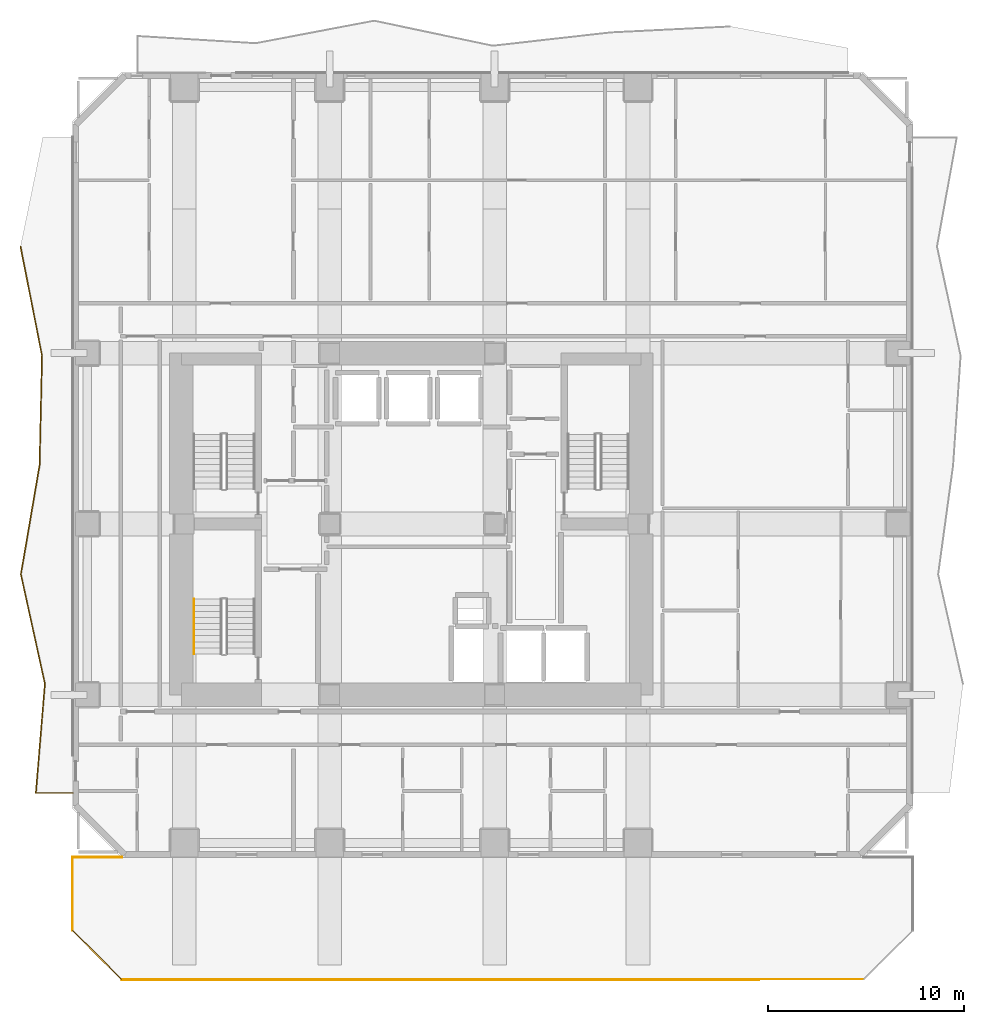
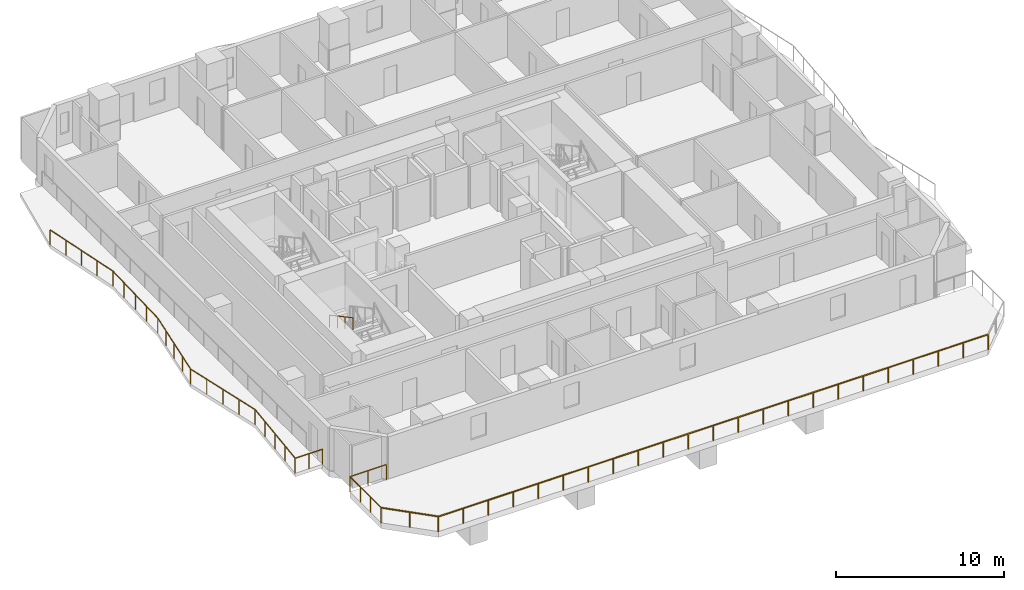
# One storey, part 8 of 11: 6 railings.
"""IFC4 building model written with IfcOpenShell, lengths in metres."""

import ifcopenshell
import ifcopenshell.guid

model = None  # the IFC model being written
_history = None  # IfcOwnerHistory: only IFC2X3 demands one
_inside = {}  # id of a spatial element -> (the spatial element, [elements in it])
_under = {}  # id of a project, library or spatial element -> (it, [spatial elements below it])
_declared = {}  # id of a project -> (the project, [libraries it declares])
_typed = {}  # id of a type object -> (the type object, [elements of that type])
_made_of = {}  # id of a material, layer set ... -> (it, [elements and type objects made of it])


def new_model(schema):
    """Start an empty IFC model of exactly this schema.

    Asked for "IFC4X3", IfcOpenShell would pick the latest addendum, in which some entities
    have other attributes; the version numbers below select the first issue.
    IFC2X3 requires an IfcOwnerHistory on every rooted entity: one is made here for all.
    """
    global model, _history
    if schema == "IFC4X3":
        model = ifcopenshell.file(schema_version=(4, 3, 0, 0))
    else:
        model = ifcopenshell.file(schema=schema)
    _inside.clear()
    _under.clear()
    _declared.clear()
    _typed.clear()
    _made_of.clear()
    _history = None
    if model.schema == "IFC2X3":
        org = make("IfcOrganization", Name="unknown")
        user = make(
            "IfcPersonAndOrganization",
            ThePerson=make("IfcPerson", FamilyName="unknown"),
            TheOrganization=org,
        )
        app = make(
            "IfcApplication",
            ApplicationDeveloper=org,
            Version="unknown",
            ApplicationFullName="unknown",
            ApplicationIdentifier="unknown",
        )
        _history = make(
            "IfcOwnerHistory",
            OwningUser=user,
            OwningApplication=app,
            ChangeAction="ADDED",
            CreationDate=0,
        )
    return model


def make(cls, **values):
    """One entity of the class cls with the attributes given. An attribute that is None is left unset."""
    return model.create_entity(
        cls, **{name: value for name, value in values.items() if value is not None}
    )


def rooted(cls, **values):
    """An entity with a GlobalId (a new one), such as an element, a storey or a relation."""
    return make(cls, GlobalId=ifcopenshell.guid.new(), OwnerHistory=_history, **values)


def si_unit(unit_type, name, prefix=None):
    """IfcSIUnit, for example si_unit("LENGTHUNIT", "METRE", prefix="MILLI")."""
    return make("IfcSIUnit", UnitType=unit_type, Prefix=prefix, Name=name)


def assignment(units):
    """IfcUnitAssignment: the units of a project."""
    return None if units is None else make("IfcUnitAssignment", Units=units)


def point(xyz):
    """IfcCartesianPoint."""
    return None if xyz is None else make("IfcCartesianPoint", Coordinates=xyz)


def direction(xyz):
    """IfcDirection."""
    return None if xyz is None else make("IfcDirection", DirectionRatios=xyz)


def frame(location, z_axis=None, x_axis=None):
    """IfcAxis2Placement3D, a coordinate frame: its origin and axes. An axis left out is left unset."""
    return make(
        "IfcAxis2Placement3D",
        Location=point(location),
        Axis=direction(z_axis),
        RefDirection=direction(x_axis),
    )


def frame_2d(location, x_axis=None):
    """IfcAxis2Placement2D, a coordinate frame in the plane: its origin and x axis."""
    return make(
        "IfcAxis2Placement2D", Location=point(location), RefDirection=direction(x_axis)
    )


def origin():
    """The frame at (0, 0, 0) with its axes left unset."""
    return frame((0.0, 0.0, 0.0))


def origin_2d():
    """The frame at (0, 0) in the plane with its x axis left unset."""
    return frame_2d((0.0, 0.0))


def place(relative_to, where):
    """IfcLocalPlacement: puts the frame where relative to a parent placement (None: the world)."""
    return make(
        "IfcLocalPlacement", PlacementRelTo=relative_to, RelativePlacement=where
    )


def context(
    kind, dimensions, precision=None, world=None, true_north=None, identifier=None
):
    """IfcGeometricRepresentationContext, for example the 3D "Model" context."""
    return make(
        "IfcGeometricRepresentationContext",
        ContextIdentifier=identifier,
        ContextType=kind,
        CoordinateSpaceDimension=dimensions,
        Precision=precision,
        WorldCoordinateSystem=world,
        TrueNorth=true_north,
    )


def subcontext(parent, identifier, kind, view, scale=None):
    """IfcGeometricRepresentationSubContext, for example "Body" below "Model"."""
    return make(
        "IfcGeometricRepresentationSubContext",
        ContextIdentifier=identifier,
        ContextType=kind,
        ParentContext=parent,
        TargetScale=scale,
        TargetView=view,
    )


def project(units=None, contexts=None):
    """IfcProject with its units and contexts."""
    return rooted(
        "IfcProject",
        Name="project",
        RepresentationContexts=contexts,
        UnitsInContext=assignment(units),
    )


def spatial(cls, under=None, at=None, **own):
    """A site, building, storey or space (cls), placed at a placement, below another one or the project."""
    s = rooted(cls, ObjectPlacement=at, **own)
    if under is not None:
        _under.setdefault(under.id(), (under, []))[1].append(s)
    return s


def profile(cls, at=None, kind="AREA", **sizes):
    """A parametric profile (cls). Its sizes go by their IFC names, for example OverallWidth=200.0."""
    return make(cls, ProfileType=kind, Position=at, **sizes)


def rectangle(**sizes):
    """IfcRectangleProfileDef."""
    return profile("IfcRectangleProfileDef", **sizes)


def extrude(swept, where, along, depth):
    """IfcExtrudedAreaSolid: the profile swept, set in the frame where, extruded along a direction by depth."""
    return make(
        "IfcExtrudedAreaSolid",
        SweptArea=swept,
        Position=where,
        ExtrudedDirection=direction(along),
        Depth=depth,
    )


def shape(context_of_items, identifier, shape_type, items):
    """IfcShapeRepresentation: the items that make up one representation, for example the "Body"."""
    return make(
        "IfcShapeRepresentation",
        ContextOfItems=context_of_items,
        RepresentationIdentifier=identifier,
        RepresentationType=shape_type,
        Items=items,
    )


def material(Name=None, Category=None):
    """IfcMaterial."""
    return make("IfcMaterial", Name=Name, Category=Category)


def made_of(thing, what):
    """Note that an element or type object is made of a material, layer set ...; save() writes the relation."""
    if what is not None:
        _made_of.setdefault(what.id(), (what, []))[1].append(thing)
    return thing


def type_object(cls, material=None, **own):
    """A type object (cls), such as IfcWallType, which elements share."""
    return made_of(rooted(cls, **own), material)


def element(
    cls,
    number,
    at=None,
    inside=None,
    cuts=None,
    type_object=None,
    material=None,
    context=None,
    identifier="Body",
    shape_type=None,
    held_by="IfcProductDefinitionShape",
    body=None,
    shapes=None,
    **own,
):
    """One element of the class cls, such as IfcWall. Its Tag is "e" and its number.

    at: its placement. inside: the storey or other place that contains it. cuts: it is an
    opening in that element (IfcRelVoidsElement). A single representation is given by context,
    identifier, shape_type and body (its items); several are given by shapes. held_by: the class
    of the entity that holds the representations. save() writes the other relations.
    """
    e = rooted(cls, Tag="e%d" % number, ObjectPlacement=at, **own)
    if body is not None:
        shapes = [shape(context, identifier, shape_type, body)]
    if shapes is not None:
        e.Representation = make(held_by, Representations=shapes)
    if inside is not None:
        _inside.setdefault(inside.id(), (inside, []))[1].append(e)
    if cuts is not None:
        rooted(
            "IfcRelVoidsElement", RelatingBuildingElement=cuts, RelatedOpeningElement=e
        )
    if type_object is not None:
        _typed.setdefault(type_object.id(), (type_object, []))[1].append(e)
    return made_of(e, material)


def aggregate(whole, parts):
    """IfcRelAggregates: a whole, such as a stair, and the parts it consists of."""
    return rooted("IfcRelAggregates", RelatingObject=whole, RelatedObjects=parts)


def save(model, path):
    """Write the relations noted so far, then the file.

    IfcRelAggregates (storeys below a building ...), IfcRelContainedInSpatialStructure (elements
    in a storey), IfcRelDefinesByType, IfcRelAssociatesMaterial and IfcRelDeclares: one each for
    every whole, place, type object, material and project.
    """
    for whole, parts in _under.values():
        aggregate(whole, parts)
    for where, things in _inside.values():
        rooted(
            "IfcRelContainedInSpatialStructure",
            RelatedElements=things,
            RelatingStructure=where,
        )
    for kind, things in _typed.values():
        rooted("IfcRelDefinesByType", RelatedObjects=things, RelatingType=kind)
    for what, things in _made_of.values():
        rooted("IfcRelAssociatesMaterial", RelatedObjects=things, RelatingMaterial=what)
    for by, libraries in _declared.values():
        rooted("IfcRelDeclares", RelatingContext=by, RelatedDefinitions=libraries)
    model.write(path)


model = new_model("IFC4")

# Units and contexts
model_context = context("Model", 3, precision=1e-05, world=origin(), true_north=direction((0.0, 1.0)))
body_context = subcontext(model_context, "Body", "Model", "MODEL_VIEW")
ifc_project = project(units=[si_unit("LENGTHUNIT", "METRE"), si_unit("AREAUNIT", "SQUARE_METRE"), si_unit("VOLUMEUNIT", "CUBIC_METRE"), si_unit("PLANEANGLEUNIT", "RADIAN"), si_unit("MASSUNIT", "GRAM", prefix="KILO")], contexts=[model_context])

# Site, building, storey
site_placement = place(None, origin())
site = spatial("IfcSite", under=ifc_project, at=site_placement, CompositionType="ELEMENT")
building_placement = place(site_placement, origin())
building = spatial("IfcBuilding", under=site, at=building_placement, Name="Solanera Arch Residences", CompositionType="ELEMENT")
storey_placement = place(building_placement, frame((0.0, 0.0, 61.840087890625)))
storey = spatial("IfcBuildingStorey", under=building, at=storey_placement, Name="L17", CompositionType="ELEMENT", Elevation=61.840087890625)

# Railings
ifc_material_1 = material(Name="Steel S355 (ASTM A992 / A572 Grade 50)", Category="steel")
railing_type_1 = type_object("IfcRailingType", Name="Balustrade Railing BL-1100", PredefinedType="BALUSTRADE", material=ifc_material_1)
railing_1_placement = place(storey_placement, frame((5.051025390625, 44.8330078125, 0.0)))
element("IfcRailing", 1, at=railing_1_placement, inside=storey, type_object=railing_type_1, Name="L17 W Balcony Balustrade 1", PredefinedType="BALUSTRADE", context=body_context, shape_type="SweptSolid", body=[
    extrude(rectangle(XDim=0.048095703125, YDim=0.048095703125, at=origin_2d()), frame((0.0, 0.0, 1.09619140625), z_axis=(0.193193705231, -0.981160635298, 0.0), x_axis=(0.981160635298, 0.193193705231, 0.0)), (0.0, 0.0, 1.0), 5.6728515625),
    extrude(rectangle(XDim=0.048095703125, YDim=0.048095703125, at=origin_2d()), frame((1.095947265625, -5.56591796875, 1.09619140625), z_axis=(-0.022272244307, -0.999751942801, 0.0), x_axis=(0.999751942801, -0.022272244307, 0.0)), (0.0, 0.0, 1.0), 5.568603515625),
    extrude(rectangle(XDim=0.048095703125, YDim=0.048095703125, at=origin_2d()), frame((0.971923828125, -11.133056640625, 1.09619140625), z_axis=(-0.168715450915, -0.985664799322, 0.0), x_axis=(0.985664799322, -0.168715450915, 0.0)), (0.0, 0.0, 1.0), 5.64794921875),
    extrude(rectangle(XDim=0.048095703125, YDim=0.048095703125, at=origin_2d()), frame((0.01904296875, -16.699951171875, 1.09619140625), z_axis=(0.21474818874, -0.976669450445, 0.0), x_axis=(0.976669450445, 0.21474818874, 0.0)), (0.0, 0.0, 1.0), 5.69921875),
    extrude(rectangle(XDim=0.048095703125, YDim=0.048095703125, at=origin_2d()), frame((1.242919921875, -22.26611328125, 1.09619140625), z_axis=(-0.082343737975, -0.996603987959, 0.0), x_axis=(0.996603987959, -0.082343737975, 0.0)), (0.0, 0.0, 1.0), 5.5859375),
    extrude(rectangle(XDim=0.048095703125, YDim=0.048095703125, at=origin_2d()), frame((0.782958984375, -27.8330078125, 1.09619140625), z_axis=(1.0, 0.0, 0.0), x_axis=(0.0, 1.0, 0.0)), (0.0, 0.0, 1.0), 1.885986328125),
    extrude(rectangle(XDim=0.0419921875, YDim=0.0419921875, at=origin_2d()), origin(), (0.0, 0.0, 1.0), 1.072021484375),
    extrude(rectangle(XDim=0.0419921875, YDim=0.0419921875, at=origin_2d()), frame((0.27392578125, -1.3916015625, 0.0)), (0.0, 0.0, 1.0), 1.072021484375),
    extrude(rectangle(XDim=0.0419921875, YDim=0.0419921875, at=origin_2d()), frame((0.5478515625, -2.782958984375, 0.0)), (0.0, 0.0, 1.0), 1.072021484375),
    extrude(rectangle(XDim=0.0419921875, YDim=0.0419921875, at=origin_2d()), frame((0.822021484375, -4.17431640625, 0.0)), (0.0, 0.0, 1.0), 1.072021484375),
    extrude(rectangle(XDim=0.0419921875, YDim=0.0419921875, at=origin_2d()), frame((1.095947265625, -5.56591796875, 0.0)), (0.0, 0.0, 1.0), 1.072021484375),
    extrude(rectangle(XDim=0.0419921875, YDim=0.0419921875, at=origin_2d()), frame((1.06494140625, -6.957763671875, 0.0)), (0.0, 0.0, 1.0), 1.072021484375),
    extrude(rectangle(XDim=0.0419921875, YDim=0.0419921875, at=origin_2d()), frame((1.033935546875, -8.349609375, 0.0)), (0.0, 0.0, 1.0), 1.072021484375),
    extrude(rectangle(XDim=0.0419921875, YDim=0.0419921875, at=origin_2d()), frame((1.0029296875, -9.7412109375, 0.0)), (0.0, 0.0, 1.0), 1.072021484375),
    extrude(rectangle(XDim=0.0419921875, YDim=0.0419921875, at=origin_2d()), frame((0.971923828125, -11.133056640625, 0.0)), (0.0, 0.0, 1.0), 1.072021484375),
    extrude(rectangle(XDim=0.0419921875, YDim=0.0419921875, at=origin_2d()), frame((0.733642578125, -12.52490234375, 0.0)), (0.0, 0.0, 1.0), 1.072021484375),
    extrude(rectangle(XDim=0.0419921875, YDim=0.0419921875, at=origin_2d()), frame((0.49560546875, -13.91650390625, 0.0)), (0.0, 0.0, 1.0), 1.072021484375),
    extrude(rectangle(XDim=0.0419921875, YDim=0.0419921875, at=origin_2d()), frame((0.25732421875, -15.30810546875, 0.0)), (0.0, 0.0, 1.0), 1.072021484375),
    extrude(rectangle(XDim=0.0419921875, YDim=0.0419921875, at=origin_2d()), frame((0.01904296875, -16.699951171875, 0.0)), (0.0, 0.0, 1.0), 1.072021484375),
    extrude(rectangle(XDim=0.0419921875, YDim=0.0419921875, at=origin_2d()), frame((0.324951171875, -18.091552734375, 0.0)), (0.0, 0.0, 1.0), 1.072021484375),
    extrude(rectangle(XDim=0.0419921875, YDim=0.0419921875, at=origin_2d()), frame((0.630859375, -19.48291015625, 0.0)), (0.0, 0.0, 1.0), 1.072021484375),
    extrude(rectangle(XDim=0.0419921875, YDim=0.0419921875, at=origin_2d()), frame((0.93701171875, -20.87451171875, 0.0)), (0.0, 0.0, 1.0), 1.072021484375),
    extrude(rectangle(XDim=0.0419921875, YDim=0.0419921875, at=origin_2d()), frame((1.242919921875, -22.26611328125, 0.0)), (0.0, 0.0, 1.0), 1.072021484375),
    extrude(rectangle(XDim=0.0419921875, YDim=0.0419921875, at=origin_2d()), frame((1.1279296875, -23.65771484375, 0.0)), (0.0, 0.0, 1.0), 1.072021484375),
    extrude(rectangle(XDim=0.0419921875, YDim=0.0419921875, at=origin_2d()), frame((1.012939453125, -25.049560546875, 0.0)), (0.0, 0.0, 1.0), 1.072021484375),
    extrude(rectangle(XDim=0.0419921875, YDim=0.0419921875, at=origin_2d()), frame((0.89794921875, -26.44140625, 0.0)), (0.0, 0.0, 1.0), 1.072021484375),
    extrude(rectangle(XDim=0.0419921875, YDim=0.0419921875, at=origin_2d()), frame((0.782958984375, -27.8330078125, 0.0)), (0.0, 0.0, 1.0), 1.072021484375),
    extrude(rectangle(XDim=0.0419921875, YDim=0.0419921875, at=origin_2d()), frame((1.72607421875, -27.8330078125, 0.0)), (0.0, 0.0, 1.0), 1.072021484375),
    extrude(rectangle(XDim=0.0419921875, YDim=0.0419921875, at=origin_2d()), frame((2.6689453125, -27.8330078125, 0.0)), (0.0, 0.0, 1.0), 1.072021484375),
])
railing_2_placement = place(storey_placement, frame((10.2080078125, 13.719970703125, 0.0)))
element("IfcRailing", 2, at=railing_2_placement, inside=storey, type_object=railing_type_1, Name="L17 Sky Terrace Guardrail 1", PredefinedType="BALUSTRADE", context=body_context, shape_type="SweptSolid", body=[
    extrude(rectangle(XDim=0.048095703125, YDim=0.048095703125, at=origin_2d()), frame((0.0, 0.0, 1.09619140625), z_axis=(-1.0, 0.0, 0.0), x_axis=(0.0, -1.0, 0.0)), (0.0, 0.0, 1.0), 2.508056640625),
    extrude(rectangle(XDim=0.0419921875, YDim=0.0419921875, at=origin_2d()), origin(), (0.0, 0.0, 1.0), 1.072021484375),
    extrude(rectangle(XDim=0.0419921875, YDim=0.0419921875, at=origin_2d()), frame((-1.25390625, 0.0, 0.0)), (0.0, 0.0, 1.0), 1.072021484375),
    extrude(rectangle(XDim=0.0419921875, YDim=0.0419921875, at=origin_2d()), frame((-2.508056640625, 0.0, 0.0)), (0.0, 0.0, 1.0), 1.072021484375),
])
railing_3_placement = place(storey_placement, frame((7.699951171875, 13.719970703125, 0.0)))
element("IfcRailing", 3, at=railing_3_placement, inside=storey, type_object=railing_type_1, Name="L17 Sky Terrace Guardrail 1", PredefinedType="BALUSTRADE", context=body_context, shape_type="SweptSolid", body=[
    extrude(rectangle(XDim=0.048095703125, YDim=0.048095703125, at=origin_2d()), frame((0.0, 0.0, 1.09619140625), z_axis=(0.0, -1.0, 0.0), x_axis=(1.0, 0.0, 0.0)), (0.0, 0.0, 1.0), 3.719970703125),
    extrude(rectangle(XDim=0.0419921875, YDim=0.0419921875, at=origin_2d()), origin(), (0.0, 0.0, 1.0), 1.072021484375),
    extrude(rectangle(XDim=0.0419921875, YDim=0.0419921875, at=origin_2d()), frame((0.0, -1.239990234375, 0.0)), (0.0, 0.0, 1.0), 1.072021484375),
    extrude(rectangle(XDim=0.0419921875, YDim=0.0419921875, at=origin_2d()), frame((0.0, -2.47998046875, 0.0)), (0.0, 0.0, 1.0), 1.072021484375),
    extrude(rectangle(XDim=0.0419921875, YDim=0.0419921875, at=origin_2d()), frame((0.0, -3.719970703125, 0.0)), (0.0, 0.0, 1.0), 1.072021484375),
])
railing_4_placement = place(storey_placement, frame((7.699951171875, 10.0, 0.0)))
element("IfcRailing", 4, at=railing_4_placement, inside=storey, type_object=railing_type_1, Name="L17 Sky Terrace Guardrail 1", PredefinedType="BALUSTRADE", context=body_context, shape_type="SweptSolid", body=[
    extrude(rectangle(XDim=0.048095703125, YDim=0.048095703125, at=origin_2d()), frame((0.0, 0.0, 1.09619140625), z_axis=(0.707106781187, -0.707106781187, 0.0), x_axis=(0.707106781187, 0.707106781187, 0.0)), (0.0, 0.0, 1.0), 3.53564453125),
    extrude(rectangle(XDim=0.0419921875, YDim=0.0419921875, at=origin_2d()), origin(), (0.0, 0.0, 1.0), 1.072021484375),
    extrude(rectangle(XDim=0.0419921875, YDim=0.0419921875, at=origin_2d()), frame((1.25, -1.25, 0.0)), (0.0, 0.0, 1.0), 1.072021484375),
    extrude(rectangle(XDim=0.0419921875, YDim=0.0419921875, at=origin_2d()), frame((2.5, -2.5, 0.0)), (0.0, 0.0, 1.0), 1.072021484375),
])
railing_5_placement = place(storey_placement, frame((10.199951171875, 7.5, 0.0)))
element("IfcRailing", 5, at=railing_5_placement, inside=storey, type_object=railing_type_1, Name="L17 Sky Terrace Guardrail 1", PredefinedType="BALUSTRADE", context=body_context, shape_type="SweptSolid", body=[
    extrude(rectangle(XDim=0.048095703125, YDim=0.048095703125, at=origin_2d()), frame((0.0, 0.0, 1.09619140625), z_axis=(1.0, 0.0, 0.0), x_axis=(0.0, 1.0, 0.0)), (0.0, 0.0, 1.0), 37.800048828125),
    extrude(rectangle(XDim=0.0419921875, YDim=0.0419921875, at=origin_2d()), origin(), (0.0, 0.0, 1.0), 1.072021484375),
    extrude(rectangle(XDim=0.0419921875, YDim=0.0419921875, at=origin_2d()), frame((1.71826171875, 0.0, 0.0)), (0.0, 0.0, 1.0), 1.072021484375),
    extrude(rectangle(XDim=0.0419921875, YDim=0.0419921875, at=origin_2d()), frame((3.436279296875, 0.0, 0.0)), (0.0, 0.0, 1.0), 1.072021484375),
    extrude(rectangle(XDim=0.0419921875, YDim=0.0419921875, at=origin_2d()), frame((5.154541015625, 0.0, 0.0)), (0.0, 0.0, 1.0), 1.072021484375),
    extrude(rectangle(XDim=0.0419921875, YDim=0.0419921875, at=origin_2d()), frame((6.872802734375, 0.0, 0.0)), (0.0, 0.0, 1.0), 1.072021484375),
    extrude(rectangle(XDim=0.0419921875, YDim=0.0419921875, at=origin_2d()), frame((8.5908203125, 0.0, 0.0)), (0.0, 0.0, 1.0), 1.072021484375),
    extrude(rectangle(XDim=0.0419921875, YDim=0.0419921875, at=origin_2d()), frame((10.30908203125, 0.0, 0.0)), (0.0, 0.0, 1.0), 1.072021484375),
    extrude(rectangle(XDim=0.0419921875, YDim=0.0419921875, at=origin_2d()), frame((12.02734375, 0.0, 0.0)), (0.0, 0.0, 1.0), 1.072021484375),
    extrude(rectangle(XDim=0.0419921875, YDim=0.0419921875, at=origin_2d()), frame((13.745361328125, 0.0, 0.0)), (0.0, 0.0, 1.0), 1.072021484375),
    extrude(rectangle(XDim=0.0419921875, YDim=0.0419921875, at=origin_2d()), frame((15.463623046875, 0.0, 0.0)), (0.0, 0.0, 1.0), 1.072021484375),
    extrude(rectangle(XDim=0.0419921875, YDim=0.0419921875, at=origin_2d()), frame((17.181884765625, 0.0, 0.0)), (0.0, 0.0, 1.0), 1.072021484375),
    extrude(rectangle(XDim=0.0419921875, YDim=0.0419921875, at=origin_2d()), frame((18.89990234375, 0.0, 0.0)), (0.0, 0.0, 1.0), 1.072021484375),
    extrude(rectangle(XDim=0.0419921875, YDim=0.0419921875, at=origin_2d()), frame((20.6181640625, 0.0, 0.0)), (0.0, 0.0, 1.0), 1.072021484375),
    extrude(rectangle(XDim=0.0419921875, YDim=0.0419921875, at=origin_2d()), frame((22.33642578125, 0.0, 0.0)), (0.0, 0.0, 1.0), 1.072021484375),
    extrude(rectangle(XDim=0.0419921875, YDim=0.0419921875, at=origin_2d()), frame((24.0546875, 0.0, 0.0)), (0.0, 0.0, 1.0), 1.072021484375),
    extrude(rectangle(XDim=0.0419921875, YDim=0.0419921875, at=origin_2d()), frame((25.772705078125, 0.0, 0.0)), (0.0, 0.0, 1.0), 1.072021484375),
    extrude(rectangle(XDim=0.0419921875, YDim=0.0419921875, at=origin_2d()), frame((27.490966796875, 0.0, 0.0)), (0.0, 0.0, 1.0), 1.072021484375),
    extrude(rectangle(XDim=0.0419921875, YDim=0.0419921875, at=origin_2d()), frame((29.209228515625, 0.0, 0.0)), (0.0, 0.0, 1.0), 1.072021484375),
    extrude(rectangle(XDim=0.0419921875, YDim=0.0419921875, at=origin_2d()), frame((30.92724609375, 0.0, 0.0)), (0.0, 0.0, 1.0), 1.072021484375),
    extrude(rectangle(XDim=0.0419921875, YDim=0.0419921875, at=origin_2d()), frame((32.6455078125, 0.0, 0.0)), (0.0, 0.0, 1.0), 1.072021484375),
    extrude(rectangle(XDim=0.0419921875, YDim=0.0419921875, at=origin_2d()), frame((34.36376953125, 0.0, 0.0)), (0.0, 0.0, 1.0), 1.072021484375),
    extrude(rectangle(XDim=0.0419921875, YDim=0.0419921875, at=origin_2d()), frame((36.081787109375, 0.0, 0.0)), (0.0, 0.0, 1.0), 1.072021484375),
    extrude(rectangle(XDim=0.0419921875, YDim=0.0419921875, at=origin_2d()), frame((37.800048828125, 0.0, 0.0)), (0.0, 0.0, 1.0), 1.072021484375),
])
ifc_material_2 = material(Name="Steel S355 (ASTM A992 / A572 Grade 50)", Category="steel")
railing_type_2 = type_object("IfcRailingType", Name="Stair Wall Handrail HR-920", PredefinedType="HANDRAIL", material=ifc_material_2)
railing_6_placement = place(storey_placement, frame((13.889892578125, 26.8701171875, 1.825927734375)))
element("IfcRailing", 6, at=railing_6_placement, inside=storey, type_object=railing_type_2, Name="L17 ST-T3 stair handrail 2", PredefinedType="HANDRAIL", context=body_context, shape_type="SweptSolid", body=[
    extrude(rectangle(XDim=0.048095703125, YDim=0.048095703125, at=origin_2d()), frame((0.0, 0.0, 0.8759765625), z_axis=(0.0, -0.881580869306, 0.472033018838), x_axis=(1.0, 0.0, 0.0)), (0.0, 0.0, 1.0), 3.164794921875),
    extrude(rectangle(XDim=0.0419921875, YDim=0.0419921875, at=origin_2d()), origin(), (0.0, 0.0, 1.0), 0.851806640625),
    extrude(rectangle(XDim=0.0419921875, YDim=0.0419921875, at=origin_2d()), frame((0.0, -0.929931640625, 0.498046875)), (0.0, 0.0, 1.0), 0.851806640625),
    extrude(rectangle(XDim=0.0419921875, YDim=0.0419921875, at=origin_2d()), frame((0.0, -1.860107421875, 0.995849609375)), (0.0, 0.0, 1.0), 0.851806640625),
    extrude(rectangle(XDim=0.0419921875, YDim=0.0419921875, at=origin_2d()), frame((0.0, -2.7900390625, 1.493896484375)), (0.0, 0.0, 1.0), 0.851806640625),
])

save(model, "model.ifc")
